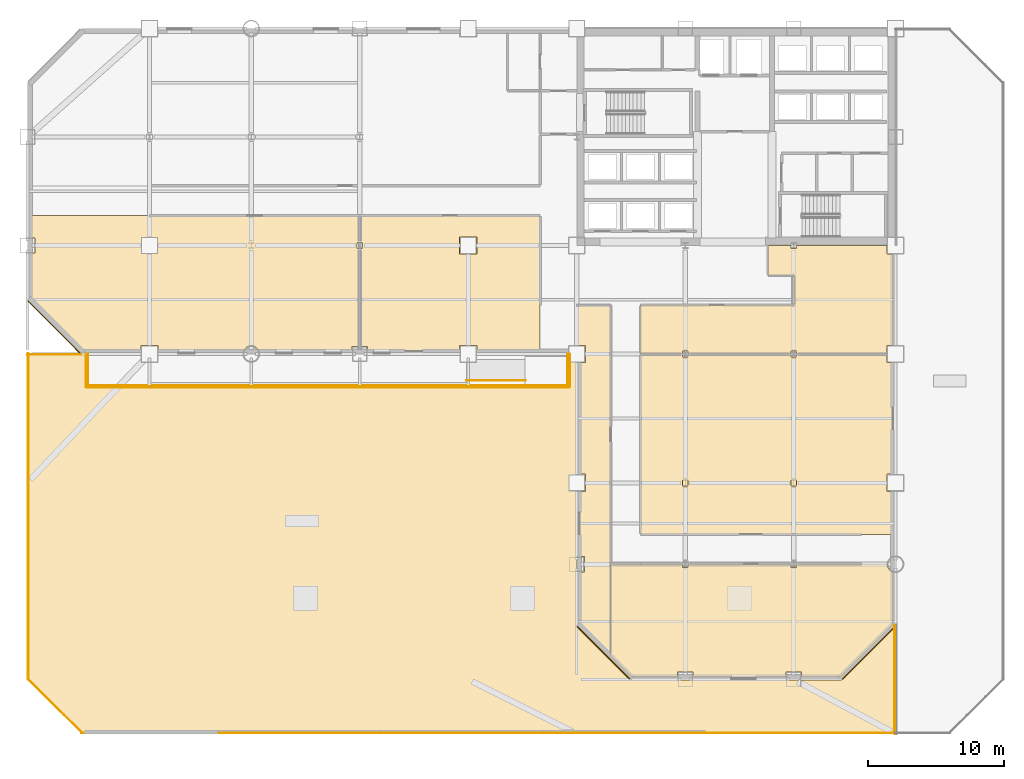
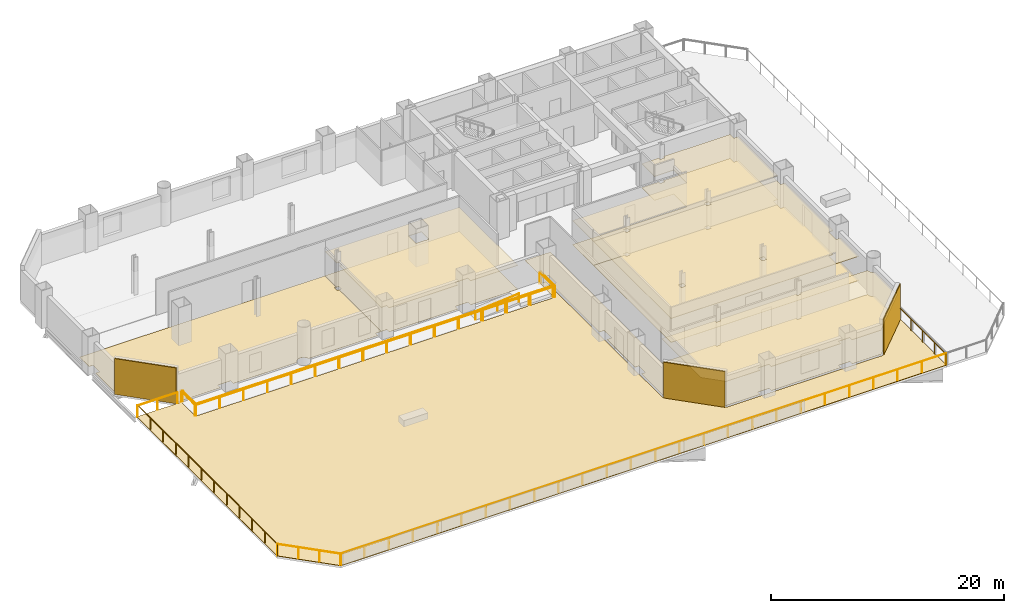
# One storey, part 8 of 11: 14 coverings, 10 railings.
"""IFC4 building model written with IfcOpenShell, lengths in metres."""

from ifc_helpers import new_model, si_unit, direction, frame, origin, origin_2d, place, context, subcontext, project, spatial, polyline, rectangle, circle, outline, extrude, material, layer, layer_set, type_object, element, save


model = new_model("IFC4")

# Units and contexts
model_context = context("Model", 3, precision=1e-05, world=origin(), true_north=direction((0.0, 1.0)))
body_context = subcontext(model_context, "Body", "Model", "MODEL_VIEW")
ifc_project = project(units=[si_unit("LENGTHUNIT", "METRE"), si_unit("AREAUNIT", "SQUARE_METRE"), si_unit("VOLUMEUNIT", "CUBIC_METRE"), si_unit("PLANEANGLEUNIT", "RADIAN"), si_unit("MASSUNIT", "GRAM", prefix="KILO")], contexts=[model_context])

# Site, building, storey
site_placement = place(None, origin())
site = spatial("IfcSite", under=ifc_project, at=site_placement, CompositionType="ELEMENT")
building_placement = place(site_placement, origin())
building = spatial("IfcBuilding", under=site, at=building_placement, Name="Qianrong Seaharbour Tower", CompositionType="ELEMENT")
storey_placement = place(building_placement, frame((0.0, 0.0, 28.199951171875)))
storey = spatial("IfcBuildingStorey", under=building, at=storey_placement, Name="L06", CompositionType="ELEMENT", Elevation=28.199951171875)

# Coverings
ifc_material_1 = material(Name="Perforated acoustic gypsum ceiling board")
ifc_layer_1 = layer(ifc_material_1, 0.050048828125)
ifc_layer_set_1 = layer_set([ifc_layer_1], Name="Perforated acoustic gypsum ceiling board")
covering_type_1 = type_object("IfcCoveringType", Name="COV-CEIL-GYPSUM-50", PredefinedType="CEILING", material=ifc_layer_set_1)
covering_1_placement = place(storey_placement, frame((0.0, 0.0, 2.5)))
element("IfcCovering", 1, at=covering_1_placement, inside=storey, type_object=covering_type_1, Name="L06 Project Library 2 Acoustic Ceiling", PredefinedType="CEILING", context=body_context, shape_type="SweptSolid", body=[
    extrude(outline(polyline([(37.800048828125, 28.175048828125), (33.135009765625, 28.175048828125), (33.135009765625, 28.635009765625), (31.864990234375, 28.635009765625), (31.864990234375, 28.175048828125), (25.06005859375, 28.175048828125), (25.06005859375, 28.56005859375), (24.5, 28.56005859375), (24.5, 35.77587890625), (24.71337890625, 35.77587890625), (24.71337890625, 36.22412109375), (24.5, 36.22412109375), (24.5, 38.199951171875), (37.800048828125, 38.199951171875), (37.800048828125, 28.175048828125)]), holes=[polyline([(33.135009765625, 35.364990234375), (33.135009765625, 36.635009765625), (31.864990234375, 36.635009765625), (31.864990234375, 35.364990234375), (33.135009765625, 35.364990234375)])]), origin(), (0.0, 0.0, 1.0), 0.050048828125),
])
covering_2_placement = place(storey_placement, frame((0.0, 0.0, 2.5)))
element("IfcCovering", 2, at=covering_2_placement, inside=storey, type_object=covering_type_1, Name="L06 Harbour View Dining Bistro 1 Acoustic Ceiling", PredefinedType="CEILING", context=body_context, shape_type="SweptSolid", body=[
    extrude(outline(polyline([(48.28662109375, 28.0), (48.28662109375, 27.77587890625), (48.71337890625, 27.77587890625), (48.71337890625, 28.0), (56.28662109375, 28.0), (56.28662109375, 27.77587890625), (56.71337890625, 27.77587890625), (56.71337890625, 28.0), (63.364990234375, 28.0), (63.364990234375, 27.364990234375), (63.824951171875, 27.364990234375), (63.824951171875, 19.135009765625), (63.364990234375, 19.135009765625), (63.364990234375, 17.864990234375), (63.824951171875, 17.864990234375), (63.824951171875, 14.699951171875), (45.199951171875, 14.699951171875), (45.199951171875, 28.0), (48.28662109375, 28.0)]), holes=[polyline([(56.71337890625, 18.27587890625), (56.71337890625, 18.72412109375), (56.28662109375, 18.72412109375), (56.28662109375, 18.27587890625), (56.71337890625, 18.27587890625)]), polyline([(48.28662109375, 18.27587890625), (48.71337890625, 18.27587890625), (48.71337890625, 18.72412109375), (48.28662109375, 18.72412109375), (48.28662109375, 18.27587890625)])]), origin(), (0.0, 0.0, 1.0), 0.050048828125),
])
covering_3_placement = place(storey_placement, frame((0.0, 0.0, 2.5)))
element("IfcCovering", 3, at=covering_3_placement, inside=storey, type_object=covering_type_1, Name="L06 Executive Briefing Salon 2 Acoustic Ceiling", PredefinedType="CEILING", context=body_context, shape_type="SweptSolid", body=[
    extrude(outline(polyline([(56.5, 31.60009765625), (56.5, 33.800048828125), (54.60009765625, 33.800048828125), (54.60009765625, 36.0), (56.28662109375, 36.0), (56.28662109375, 35.77587890625), (56.71337890625, 35.77587890625), (56.71337890625, 36.0), (63.364990234375, 36.0), (63.364990234375, 35.364990234375), (63.824951171875, 35.364990234375), (63.824951171875, 28.635009765625), (63.364990234375, 28.635009765625), (63.364990234375, 28.0), (56.71337890625, 28.0), (56.71337890625, 28.22412109375), (56.28662109375, 28.22412109375), (56.28662109375, 28.0), (48.71337890625, 28.0), (48.71337890625, 28.22412109375), (48.28662109375, 28.22412109375), (48.28662109375, 28.0), (45.199951171875, 28.0), (45.199951171875, 31.60009765625), (56.5, 31.60009765625)])), origin(), (0.0, 0.0, 1.0), 0.050048828125),
])
covering_4_placement = place(storey_placement, frame((0.0, 0.0, 2.5)))
element("IfcCovering", 4, at=covering_4_placement, inside=storey, type_object=covering_type_1, Name="L06 Skyline Observation Lounge Acoustic Ceiling", PredefinedType="CEILING", context=body_context, shape_type="SweptSolid", body=[
    extrude(outline(polyline([(63.824951171875, 8.072509765625), (59.927490234375, 4.175048828125), (57.06005859375, 4.175048828125), (57.06005859375, 4.56005859375), (55.93994140625, 4.56005859375), (55.93994140625, 4.175048828125), (49.06005859375, 4.175048828125), (49.06005859375, 4.56005859375), (47.93994140625, 4.56005859375), (47.93994140625, 4.175048828125), (44.572509765625, 4.175048828125), (43.0, 5.74755859375), (43.0, 12.5), (48.28662109375, 12.5), (48.28662109375, 12.27587890625), (48.71337890625, 12.27587890625), (48.71337890625, 12.5), (56.28662109375, 12.5), (56.28662109375, 12.27587890625), (56.71337890625, 12.27587890625), (56.71337890625, 12.5), (63.389892578125, 12.5), (63.401611328125, 12.381103515625), (63.436279296875, 12.2666015625), (63.492919921875, 12.1611328125), (63.568603515625, 12.068603515625), (63.6611328125, 11.992919921875), (63.7666015625, 11.936279296875), (63.824951171875, 11.918701171875), (63.824951171875, 8.072509765625)])), origin(), (0.0, 0.0, 1.0), 0.050048828125),
])
ifc_material_2 = material(Name="Unitised red brick cladding on Precast concrete C45/55", Category="masonry")
ifc_layer_2 = layer(ifc_material_2, 0.080078125)
ifc_layer_set_2 = layer_set([ifc_layer_2], Name="Unitised red brick cladding on Precast concrete C45/55")
covering_type_2 = type_object("IfcCoveringType", Name="COV-CLAD-RED-BRICK-80", PredefinedType="CLADDING", material=ifc_layer_set_2)
for number, where, z_axis, x_axis, name in (
    (5, (1.9716796875, 29.9716796875, 0.0), (0.0, 0.0, 1.0), (-0.707106781187, 0.707106781187, 0.0), "L06 Chamfer Corner Brick Cladding 02"),
    (6, (62.0283203125, 5.9716796875, 0.0), (0.0, 0.0, 1.0), (-0.707106781187, -0.707106781187, 0.0), "L06 Chamfer Corner Brick Cladding 07"),
    (7, (42.4716796875, 5.9716796875, 0.0), (0.0, 0.0, 1.0), (-0.707106781187, 0.707106781187, 0.0), "L06 Chamfer Corner Brick Cladding 09"),
):
    element("IfcCovering", number, at=place(storey_placement, frame(where, z_axis=z_axis, x_axis=x_axis)), inside=storey, type_object=covering_type_2, Name=name, PredefinedType="CLADDING", context=body_context, shape_type="SweptSolid", body=[
        extrude(rectangle(XDim=5.456787109375, YDim=0.080078125, at=origin_2d()), origin(), (0.0, 0.0, 1.0), 3.75),
    ])
ifc_material_3 = material(Name="Acoustic modular carpet tile flooring")
ifc_layer_3 = layer(ifc_material_3, 0.02001953125)
ifc_layer_set_3 = layer_set([ifc_layer_3], Name="Acoustic modular carpet tile flooring")
covering_type_3 = type_object("IfcCoveringType", Name="COV-FLOOR-CARPET-20", PredefinedType="FLOORING", material=ifc_layer_set_3)
covering_5_placement = place(storey_placement, origin())
element("IfcCovering", 8, at=covering_5_placement, inside=storey, type_object=covering_type_3, Name="L06 Harbour Panorama Boardroom 1 Finish Flooring", PredefinedType="FLOORING", context=body_context, shape_type="SweptSolid", body=[
    extrude(outline(polyline([(17.081298828125, 28.175048828125), (17.063720703125, 28.2333984375), (17.007080078125, 28.3388671875), (16.931396484375, 28.431396484375), (16.8388671875, 28.507080078125), (16.7333984375, 28.563720703125), (16.618896484375, 28.598388671875), (16.5, 28.610107421875), (16.381103515625, 28.598388671875), (16.2666015625, 28.563720703125), (16.1611328125, 28.507080078125), (16.068603515625, 28.431396484375), (15.992919921875, 28.3388671875), (15.936279296875, 28.2333984375), (15.918701171875, 28.175048828125), (9.635009765625, 28.175048828125), (9.635009765625, 28.635009765625), (8.364990234375, 28.635009765625), (8.364990234375, 28.175048828125), (4.072509765625, 28.175048828125), (0.175048828125, 32.072509765625), (0.175048828125, 35.43994140625), (0.56005859375, 35.43994140625), (0.56005859375, 36.56005859375), (0.175048828125, 36.56005859375), (0.175048828125, 38.199951171875), (24.5, 38.199951171875), (24.5, 36.22412109375), (24.28662109375, 36.22412109375), (24.28662109375, 35.77587890625), (24.5, 35.77587890625), (24.5, 28.56005859375), (23.93994140625, 28.56005859375), (23.93994140625, 28.175048828125), (17.081298828125, 28.175048828125)])), origin(), (0.0, 0.0, 1.0), 0.02001953125),
])
covering_6_placement = place(storey_placement, origin())
element("IfcCovering", 9, at=covering_6_placement, inside=storey, type_object=covering_type_3, Name="L06 Project Library 2 Finish Flooring", PredefinedType="FLOORING", context=body_context, shape_type="SweptSolid", body=[
    extrude(outline(polyline([(37.800048828125, 28.175048828125), (33.135009765625, 28.175048828125), (33.135009765625, 28.635009765625), (31.864990234375, 28.635009765625), (31.864990234375, 28.175048828125), (25.06005859375, 28.175048828125), (25.06005859375, 28.56005859375), (24.5, 28.56005859375), (24.5, 35.77587890625), (24.71337890625, 35.77587890625), (24.71337890625, 36.22412109375), (24.5, 36.22412109375), (24.5, 38.199951171875), (37.800048828125, 38.199951171875), (37.800048828125, 28.175048828125)])), origin(), (0.0, 0.0, 1.0), 0.02001953125),
])
covering_7_placement = place(storey_placement, origin())
element("IfcCovering", 10, at=covering_7_placement, inside=storey, type_object=covering_type_3, Name="L06 Wet Pantry Finish Flooring", PredefinedType="FLOORING", context=body_context, shape_type="SweptSolid", body=[
    extrude(outline(polyline([(43.0, 5.74755859375), (40.675048828125, 8.072509765625), (40.675048828125, 11.93994140625), (41.06005859375, 11.93994140625), (41.06005859375, 13.06005859375), (40.675048828125, 13.06005859375), (40.675048828125, 17.864990234375), (41.135009765625, 17.864990234375), (41.135009765625, 19.135009765625), (40.675048828125, 19.135009765625), (40.675048828125, 27.364990234375), (41.135009765625, 27.364990234375), (41.135009765625, 28.635009765625), (40.5, 28.635009765625), (40.5, 31.60009765625), (43.0, 31.60009765625), (43.0, 5.74755859375)])), origin(), (0.0, 0.0, 1.0), 0.02001953125),
])
covering_8_placement = place(storey_placement, origin())
element("IfcCovering", 11, at=covering_8_placement, inside=storey, type_object=covering_type_3, Name="L06 Skyline Observation Lounge Finish Flooring", PredefinedType="FLOORING", context=body_context, shape_type="SweptSolid", body=[
    extrude(outline(polyline([(63.824951171875, 8.072509765625), (59.927490234375, 4.175048828125), (57.06005859375, 4.175048828125), (57.06005859375, 4.56005859375), (55.93994140625, 4.56005859375), (55.93994140625, 4.175048828125), (49.06005859375, 4.175048828125), (49.06005859375, 4.56005859375), (47.93994140625, 4.56005859375), (47.93994140625, 4.175048828125), (44.572509765625, 4.175048828125), (43.0, 5.74755859375), (43.0, 12.5), (48.28662109375, 12.5), (48.28662109375, 12.27587890625), (48.71337890625, 12.27587890625), (48.71337890625, 12.5), (56.28662109375, 12.5), (56.28662109375, 12.27587890625), (56.71337890625, 12.27587890625), (56.71337890625, 12.5), (63.389892578125, 12.5), (63.401611328125, 12.381103515625), (63.436279296875, 12.2666015625), (63.492919921875, 12.1611328125), (63.568603515625, 12.068603515625), (63.6611328125, 11.992919921875), (63.7666015625, 11.936279296875), (63.824951171875, 11.918701171875), (63.824951171875, 8.072509765625)])), origin(), (0.0, 0.0, 1.0), 0.02001953125),
])
ifc_material_4 = material(Name="Honed granite stone flooring", Category="masonry")
ifc_layer_4 = layer(ifc_material_4, 0.030029296875)
ifc_layer_set_4 = layer_set([ifc_layer_4], Name="Honed granite stone flooring")
covering_type_4 = type_object("IfcCoveringType", Name="COV-FLOOR-GRANITE-30", PredefinedType="FLOORING", material=ifc_layer_set_4)
covering_9_placement = place(storey_placement, origin())
element("IfcCovering", 12, at=covering_9_placement, inside=storey, type_object=covering_type_4, Name="L06 Harbour View Dining Bistro 1 Finish Flooring", PredefinedType="FLOORING", context=body_context, shape_type="SweptSolid", body=[
    extrude(outline(polyline([(48.28662109375, 28.0), (48.28662109375, 27.77587890625), (48.71337890625, 27.77587890625), (48.71337890625, 28.0), (56.28662109375, 28.0), (56.28662109375, 27.77587890625), (56.71337890625, 27.77587890625), (56.71337890625, 28.0), (63.364990234375, 28.0), (63.364990234375, 27.364990234375), (63.824951171875, 27.364990234375), (63.824951171875, 19.135009765625), (63.364990234375, 19.135009765625), (63.364990234375, 17.864990234375), (63.824951171875, 17.864990234375), (63.824951171875, 14.699951171875), (45.199951171875, 14.699951171875), (45.199951171875, 28.0), (48.28662109375, 28.0)])), origin(), (0.0, 0.0, 1.0), 0.030029296875),
])
covering_10_placement = place(storey_placement, origin())
element("IfcCovering", 13, at=covering_10_placement, inside=storey, type_object=covering_type_4, Name="L06 Executive Briefing Salon 2 Finish Flooring", PredefinedType="FLOORING", context=body_context, shape_type="SweptSolid", body=[
    extrude(outline(polyline([(56.5, 31.60009765625), (56.5, 33.800048828125), (54.60009765625, 33.800048828125), (54.60009765625, 36.0), (56.28662109375, 36.0), (56.28662109375, 35.77587890625), (56.71337890625, 35.77587890625), (56.71337890625, 36.0), (63.364990234375, 36.0), (63.364990234375, 35.364990234375), (63.824951171875, 35.364990234375), (63.824951171875, 28.635009765625), (63.364990234375, 28.635009765625), (63.364990234375, 28.0), (56.71337890625, 28.0), (56.71337890625, 28.22412109375), (56.28662109375, 28.22412109375), (56.28662109375, 28.0), (48.71337890625, 28.0), (48.71337890625, 28.22412109375), (48.28662109375, 28.22412109375), (48.28662109375, 28.0), (45.199951171875, 28.0), (45.199951171875, 31.60009765625), (56.5, 31.60009765625)])), origin(), (0.0, 0.0, 1.0), 0.030029296875),
])
ifc_material_5 = material(Name="Elastomeric waterproofing membrane and extruded polystyrene insulation")
ifc_layer_5 = layer(ifc_material_5, 0.06005859375)
ifc_layer_set_5 = layer_set([ifc_layer_5], Name="Elastomeric waterproofing membrane and extruded polystyrene insulation")
covering_type_5 = type_object("IfcCoveringType", Name="COV-ROOF-MEMBRANE-60", PredefinedType="ROOFING", material=ifc_layer_set_5)
covering_11_placement = place(storey_placement, frame((0.0, 0.0, -0.06005859375)))
element("IfcCovering", 14, at=covering_11_placement, inside=storey, type_object=covering_type_5, Name="L06 Sky Garden Waterproofing Membrane 1", PredefinedType="ROOFING", context=body_context, shape_type="SweptSolid", body=[
    extrude(outline(polyline([(4.0, 0.0), (0.0, 4.0), (0.0, 28.02001953125), (3.95166015625, 28.02001953125), (3.98583984375, 27.98583984375), (3.9873046875, 27.984619140625), (3.989013671875, 27.9833984375), (3.990478515625, 27.982421875), (3.9921875, 27.9814453125), (3.994140625, 27.98095703125), (3.99609375, 27.98046875), (3.998046875, 27.97998046875), (4.0, 27.97998046875), (4.3798828125, 27.97998046875), (4.3798828125, 25.580078125), (39.919921875, 25.580078125), (39.919921875, 27.97998046875), (40.47998046875, 27.97998046875), (40.47998046875, 8.0), (40.47998046875, 7.998046875), (40.48046875, 7.99609375), (40.48095703125, 7.994140625), (40.4814453125, 7.9921875), (40.482421875, 7.990478515625), (40.4833984375, 7.989013671875), (40.484619140625, 7.9873046875), (40.48583984375, 7.98583984375), (44.48583984375, 3.98583984375), (44.4873046875, 3.984619140625), (44.489013671875, 3.9833984375), (44.490478515625, 3.982421875), (44.4921875, 3.9814453125), (44.494140625, 3.98095703125), (44.49609375, 3.98046875), (44.498046875, 3.97998046875), (44.5, 3.97998046875), (60.0, 3.97998046875), (60.001953125, 3.97998046875), (60.00390625, 3.98046875), (60.005859375, 3.98095703125), (60.0078125, 3.9814453125), (60.009521484375, 3.982421875), (60.010986328125, 3.9833984375), (60.0126953125, 3.984619140625), (60.01416015625, 3.98583984375), (64.0, 7.9716796875), (64.0, 0.0), (4.0, 0.0)])), origin(), (0.0, 0.0, 1.0), 0.06005859375),
])

# Railings
ifc_material_6 = material(Name="Stainless steel SUS316L tubular handrail", Category="steel")
railing_type_1 = type_object("IfcRailingType", Name="RAIL-RAMP-HANDRAIL-900", PredefinedType="HANDRAIL", material=ifc_material_6)
railing_1_placement = place(storey_placement, frame((32.3798828125, 26.050048828125, 0.0)))
element("IfcRailing", 15, at=railing_1_placement, inside=storey, type_object=railing_type_1, Name="L06 Harbourfront Ribbon Ramp Handrail", PredefinedType="HANDRAIL", context=body_context, shape_type="SweptSolid", body=[
    extrude(circle(Radius=0.02392578125, at=origin_2d()), frame((0.0, 0.0, 0.8759765625), z_axis=(0.996543815979, 0.0, 0.083068783756), x_axis=(0.0, 1.0, 0.0)), (0.0, 0.0, 1.0), 4.3349609375),
    extrude(circle(Radius=0.02099609375, at=origin_2d()), origin(), (0.0, 0.0, 1.0), 0.851806640625),
    extrude(circle(Radius=0.02099609375, at=origin_2d()), frame((2.16015625, 0.0, 0.18017578125)), (0.0, 0.0, 1.0), 0.851806640625),
    extrude(circle(Radius=0.02099609375, at=origin_2d()), frame((4.320068359375, 0.0, 0.360107421875)), (0.0, 0.0, 1.0), 0.851806640625),
])
ifc_material_7 = material(Name="Stainless steel SUS316L and laminated safety glass balustrade", Category="steel")
railing_type_2 = type_object("IfcRailingType", Name="RAIL-TERRACE-GUARD-1220", PredefinedType="GUARDRAIL", material=ifc_material_7)
railing_2_placement = place(storey_placement, frame((4.04248046875, 0.04248046875, 0.0)))
element("IfcRailing", 16, at=railing_2_placement, inside=storey, type_object=railing_type_2, Name="L06 Sky Garden Perimeter Guardrail P1.1", PredefinedType="GUARDRAIL", context=body_context, shape_type="SweptSolid", body=[
    extrude(circle(Radius=0.02392578125, at=origin_2d()), frame((0.0, 0.0, 1.19580078125), z_axis=(-0.707106781187, 0.707106781187, 0.0), x_axis=(-0.707106781187, -0.707106781187, 0.0)), (0.0, 0.0, 1.0), 5.65673828125),
    extrude(circle(Radius=0.02099609375, at=origin_2d()), origin(), (0.0, 0.0, 1.0), 1.171875),
    extrude(circle(Radius=0.02099609375, at=origin_2d()), frame((-1.333251953125, 1.333251953125, 0.0)), (0.0, 0.0, 1.0), 1.171875),
    extrude(circle(Radius=0.02099609375, at=origin_2d()), frame((-2.666748046875, 2.666748046875, 0.0)), (0.0, 0.0, 1.0), 1.171875),
    extrude(circle(Radius=0.02099609375, at=origin_2d()), frame((-4.0, 4.0, 0.0)), (0.0, 0.0, 1.0), 1.171875),
])
railing_3_placement = place(storey_placement, frame((0.06005859375, 4.0, 0.0)))
element("IfcRailing", 17, at=railing_3_placement, inside=storey, type_object=railing_type_2, Name="L06 Sky Garden Perimeter Guardrail P1.2", PredefinedType="GUARDRAIL", context=body_context, shape_type="SweptSolid", body=[
    extrude(circle(Radius=0.02392578125, at=origin_2d()), frame((0.0, 0.0, 1.19580078125), z_axis=(0.0, 1.0, 0.0), x_axis=(-1.0, 0.0, 0.0)), (0.0, 0.0, 1.0), 24.02001953125),
    extrude(circle(Radius=0.02099609375, at=origin_2d()), origin(), (0.0, 0.0, 1.0), 1.171875),
    extrude(circle(Radius=0.02099609375, at=origin_2d()), frame((0.0, 2.18359375, 0.0)), (0.0, 0.0, 1.0), 1.171875),
    extrude(circle(Radius=0.02099609375, at=origin_2d()), frame((0.0, 4.3671875, 0.0)), (0.0, 0.0, 1.0), 1.171875),
    extrude(circle(Radius=0.02099609375, at=origin_2d()), frame((0.0, 6.551025390625, 0.0)), (0.0, 0.0, 1.0), 1.171875),
    extrude(circle(Radius=0.02099609375, at=origin_2d()), frame((0.0, 8.734619140625, 0.0)), (0.0, 0.0, 1.0), 1.171875),
    extrude(circle(Radius=0.02099609375, at=origin_2d()), frame((0.0, 10.918212890625, 0.0)), (0.0, 0.0, 1.0), 1.171875),
    extrude(circle(Radius=0.02099609375, at=origin_2d()), frame((0.0, 13.101806640625, 0.0)), (0.0, 0.0, 1.0), 1.171875),
    extrude(circle(Radius=0.02099609375, at=origin_2d()), frame((0.0, 15.285400390625, 0.0)), (0.0, 0.0, 1.0), 1.171875),
    extrude(circle(Radius=0.02099609375, at=origin_2d()), frame((0.0, 17.468994140625, 0.0)), (0.0, 0.0, 1.0), 1.171875),
    extrude(circle(Radius=0.02099609375, at=origin_2d()), frame((0.0, 19.65283203125, 0.0)), (0.0, 0.0, 1.0), 1.171875),
    extrude(circle(Radius=0.02099609375, at=origin_2d()), frame((0.0, 21.83642578125, 0.0)), (0.0, 0.0, 1.0), 1.171875),
    extrude(circle(Radius=0.02099609375, at=origin_2d()), frame((0.0, 24.02001953125, 0.0)), (0.0, 0.0, 1.0), 1.171875),
])
railing_4_placement = place(storey_placement, frame((0.0, 27.9599609375, 0.0)))
element("IfcRailing", 18, at=railing_4_placement, inside=storey, type_object=railing_type_2, Name="L06 Sky Garden Perimeter Guardrail P1.3", PredefinedType="GUARDRAIL", context=body_context, shape_type="SweptSolid", body=[
    extrude(circle(Radius=0.02392578125, at=origin_2d()), frame((0.0, 0.0, 1.19580078125), z_axis=(1.0, 0.0, 0.0), x_axis=(0.0, 1.0, 0.0)), (0.0, 0.0, 1.0), 3.95166015625),
    extrude(circle(Radius=0.02099609375, at=origin_2d()), origin(), (0.0, 0.0, 1.0), 1.171875),
    extrude(circle(Radius=0.02099609375, at=origin_2d()), frame((1.975830078125, 0.0, 0.0)), (0.0, 0.0, 1.0), 1.171875),
    extrude(circle(Radius=0.02099609375, at=origin_2d()), frame((3.95166015625, 0.0, 0.0)), (0.0, 0.0, 1.0), 1.171875),
])
railing_5_placement = place(storey_placement, frame((4.320068359375, 27.97998046875, 0.0)))
element("IfcRailing", 19, at=railing_5_placement, inside=storey, type_object=railing_type_2, Name="L06 Sky Garden Perimeter Guardrail P1.14", PredefinedType="GUARDRAIL", context=body_context, shape_type="SweptSolid", body=[
    extrude(circle(Radius=0.02392578125, at=origin_2d()), frame((0.0, 0.0, 1.19580078125), z_axis=(0.0, -1.0, 0.0), x_axis=(1.0, 0.0, 0.0)), (0.0, 0.0, 1.0), 2.39990234375),
    extrude(circle(Radius=0.02099609375, at=origin_2d()), origin(), (0.0, 0.0, 1.0), 1.171875),
    extrude(circle(Radius=0.02099609375, at=origin_2d()), frame((0.0, -2.39990234375, 0.0)), (0.0, 0.0, 1.0), 1.171875),
])
railing_6_placement = place(storey_placement, frame((4.3798828125, 25.52001953125, 0.0)))
element("IfcRailing", 20, at=railing_6_placement, inside=storey, type_object=railing_type_2, Name="L06 Sky Garden Perimeter Guardrail P1.15", PredefinedType="GUARDRAIL", context=body_context, shape_type="SweptSolid", body=[
    extrude(circle(Radius=0.02392578125, at=origin_2d()), frame((0.0, 0.0, 1.19580078125), z_axis=(1.0, 0.0, 0.0), x_axis=(0.0, 1.0, 0.0)), (0.0, 0.0, 1.0), 35.5400390625),
    extrude(circle(Radius=0.02099609375, at=origin_2d()), origin(), (0.0, 0.0, 1.0), 1.171875),
    extrude(circle(Radius=0.02099609375, at=origin_2d()), frame((2.369384765625, 0.0, 0.0)), (0.0, 0.0, 1.0), 1.171875),
    extrude(circle(Radius=0.02099609375, at=origin_2d()), frame((4.73876953125, 0.0, 0.0)), (0.0, 0.0, 1.0), 1.171875),
    extrude(circle(Radius=0.02099609375, at=origin_2d()), frame((7.10791015625, 0.0, 0.0)), (0.0, 0.0, 1.0), 1.171875),
    extrude(circle(Radius=0.02099609375, at=origin_2d()), frame((9.477294921875, 0.0, 0.0)), (0.0, 0.0, 1.0), 1.171875),
    extrude(circle(Radius=0.02099609375, at=origin_2d()), frame((11.8466796875, 0.0, 0.0)), (0.0, 0.0, 1.0), 1.171875),
    extrude(circle(Radius=0.02099609375, at=origin_2d()), frame((14.216064453125, 0.0, 0.0)), (0.0, 0.0, 1.0), 1.171875),
    extrude(circle(Radius=0.02099609375, at=origin_2d()), frame((16.58544921875, 0.0, 0.0)), (0.0, 0.0, 1.0), 1.171875),
    extrude(circle(Radius=0.02099609375, at=origin_2d()), frame((18.95458984375, 0.0, 0.0)), (0.0, 0.0, 1.0), 1.171875),
    extrude(circle(Radius=0.02099609375, at=origin_2d()), frame((21.323974609375, 0.0, 0.0)), (0.0, 0.0, 1.0), 1.171875),
    extrude(circle(Radius=0.02099609375, at=origin_2d()), frame((23.693359375, 0.0, 0.0)), (0.0, 0.0, 1.0), 1.171875),
    extrude(circle(Radius=0.02099609375, at=origin_2d()), frame((26.062744140625, 0.0, 0.0)), (0.0, 0.0, 1.0), 1.171875),
    extrude(circle(Radius=0.02099609375, at=origin_2d()), frame((28.43212890625, 0.0, 0.0)), (0.0, 0.0, 1.0), 1.171875),
    extrude(circle(Radius=0.02099609375, at=origin_2d()), frame((30.80126953125, 0.0, 0.0)), (0.0, 0.0, 1.0), 1.171875),
    extrude(circle(Radius=0.02099609375, at=origin_2d()), frame((33.170654296875, 0.0, 0.0)), (0.0, 0.0, 1.0), 1.171875),
    extrude(circle(Radius=0.02099609375, at=origin_2d()), frame((35.5400390625, 0.0, 0.0)), (0.0, 0.0, 1.0), 1.171875),
])
railing_7_placement = place(storey_placement, frame((39.97998046875, 25.580078125, 0.0)))
element("IfcRailing", 21, at=railing_7_placement, inside=storey, type_object=railing_type_2, Name="L06 Sky Garden Perimeter Guardrail P1.16", PredefinedType="GUARDRAIL", context=body_context, shape_type="SweptSolid", body=[
    extrude(circle(Radius=0.02392578125, at=origin_2d()), frame((0.0, 0.0, 1.19580078125), z_axis=(0.0, 1.0, 0.0), x_axis=(-1.0, 0.0, 0.0)), (0.0, 0.0, 1.0), 2.39990234375),
    extrude(circle(Radius=0.02099609375, at=origin_2d()), origin(), (0.0, 0.0, 1.0), 1.171875),
    extrude(circle(Radius=0.02099609375, at=origin_2d()), frame((0.0, 2.39990234375, 0.0)), (0.0, 0.0, 1.0), 1.171875),
])
railing_8_placement = place(storey_placement, frame((63.93994140625, 7.9716796875, 0.0)))
element("IfcRailing", 22, at=railing_8_placement, inside=storey, type_object=railing_type_2, Name="L06 Sky Garden Perimeter Guardrail P1.46", PredefinedType="GUARDRAIL", context=body_context, shape_type="SweptSolid", body=[
    extrude(circle(Radius=0.02392578125, at=origin_2d()), frame((0.0, 0.0, 1.19580078125), z_axis=(0.0, -1.0, 0.0), x_axis=(1.0, 0.0, 0.0)), (0.0, 0.0, 1.0), 7.9716796875),
    extrude(circle(Radius=0.02099609375, at=origin_2d()), origin(), (0.0, 0.0, 1.0), 1.171875),
    extrude(circle(Radius=0.02099609375, at=origin_2d()), frame((0.0, -1.992919921875, 0.0)), (0.0, 0.0, 1.0), 1.171875),
    extrude(circle(Radius=0.02099609375, at=origin_2d()), frame((0.0, -3.98583984375, 0.0)), (0.0, 0.0, 1.0), 1.171875),
    extrude(circle(Radius=0.02099609375, at=origin_2d()), frame((0.0, -5.978759765625, 0.0)), (0.0, 0.0, 1.0), 1.171875),
    extrude(circle(Radius=0.02099609375, at=origin_2d()), frame((0.0, -7.9716796875, 0.0)), (0.0, 0.0, 1.0), 1.171875),
])
railing_9_placement = place(storey_placement, frame((64.0, 0.06005859375, 0.0)))
element("IfcRailing", 23, at=railing_9_placement, inside=storey, type_object=railing_type_2, Name="L06 Sky Garden Perimeter Guardrail P1.47", PredefinedType="GUARDRAIL", context=body_context, shape_type="SweptSolid", body=[
    extrude(circle(Radius=0.02392578125, at=origin_2d()), frame((0.0, 0.0, 1.19580078125), z_axis=(-1.0, 0.0, 0.0), x_axis=(0.0, -1.0, 0.0)), (0.0, 0.0, 1.0), 60.0),
    extrude(circle(Radius=0.02099609375, at=origin_2d()), origin(), (0.0, 0.0, 1.0), 1.171875),
    extrude(circle(Radius=0.02099609375, at=origin_2d()), frame((-2.39990234375, 0.0, 0.0)), (0.0, 0.0, 1.0), 1.171875),
    extrude(circle(Radius=0.02099609375, at=origin_2d()), frame((-4.800048828125, 0.0, 0.0)), (0.0, 0.0, 1.0), 1.171875),
    extrude(circle(Radius=0.02099609375, at=origin_2d()), frame((-7.199951171875, 0.0, 0.0)), (0.0, 0.0, 1.0), 1.171875),
    extrude(circle(Radius=0.02099609375, at=origin_2d()), frame((-9.60009765625, 0.0, 0.0)), (0.0, 0.0, 1.0), 1.171875),
    extrude(circle(Radius=0.02099609375, at=origin_2d()), frame((-12.0, 0.0, 0.0)), (0.0, 0.0, 1.0), 1.171875),
    extrude(circle(Radius=0.02099609375, at=origin_2d()), frame((-14.39990234375, 0.0, 0.0)), (0.0, 0.0, 1.0), 1.171875),
    extrude(circle(Radius=0.02099609375, at=origin_2d()), frame((-16.800048828125, 0.0, 0.0)), (0.0, 0.0, 1.0), 1.171875),
    extrude(circle(Radius=0.02099609375, at=origin_2d()), frame((-19.199951171875, 0.0, 0.0)), (0.0, 0.0, 1.0), 1.171875),
    extrude(circle(Radius=0.02099609375, at=origin_2d()), frame((-21.60009765625, 0.0, 0.0)), (0.0, 0.0, 1.0), 1.171875),
    extrude(circle(Radius=0.02099609375, at=origin_2d()), frame((-24.0, 0.0, 0.0)), (0.0, 0.0, 1.0), 1.171875),
    extrude(circle(Radius=0.02099609375, at=origin_2d()), frame((-26.39990234375, 0.0, 0.0)), (0.0, 0.0, 1.0), 1.171875),
    extrude(circle(Radius=0.02099609375, at=origin_2d()), frame((-28.800048828125, 0.0, 0.0)), (0.0, 0.0, 1.0), 1.171875),
    extrude(circle(Radius=0.02099609375, at=origin_2d()), frame((-31.199951171875, 0.0, 0.0)), (0.0, 0.0, 1.0), 1.171875),
    extrude(circle(Radius=0.02099609375, at=origin_2d()), frame((-33.60009765625, 0.0, 0.0)), (0.0, 0.0, 1.0), 1.171875),
    extrude(circle(Radius=0.02099609375, at=origin_2d()), frame((-36.0, 0.0, 0.0)), (0.0, 0.0, 1.0), 1.171875),
    extrude(circle(Radius=0.02099609375, at=origin_2d()), frame((-38.39990234375, 0.0, 0.0)), (0.0, 0.0, 1.0), 1.171875),
    extrude(circle(Radius=0.02099609375, at=origin_2d()), frame((-40.800048828125, 0.0, 0.0)), (0.0, 0.0, 1.0), 1.171875),
    extrude(circle(Radius=0.02099609375, at=origin_2d()), frame((-43.199951171875, 0.0, 0.0)), (0.0, 0.0, 1.0), 1.171875),
    extrude(circle(Radius=0.02099609375, at=origin_2d()), frame((-45.60009765625, 0.0, 0.0)), (0.0, 0.0, 1.0), 1.171875),
    extrude(circle(Radius=0.02099609375, at=origin_2d()), frame((-48.0, 0.0, 0.0)), (0.0, 0.0, 1.0), 1.171875),
    extrude(circle(Radius=0.02099609375, at=origin_2d()), frame((-50.39990234375, 0.0, 0.0)), (0.0, 0.0, 1.0), 1.171875),
    extrude(circle(Radius=0.02099609375, at=origin_2d()), frame((-52.800048828125, 0.0, 0.0)), (0.0, 0.0, 1.0), 1.171875),
    extrude(circle(Radius=0.02099609375, at=origin_2d()), frame((-55.199951171875, 0.0, 0.0)), (0.0, 0.0, 1.0), 1.171875),
    extrude(circle(Radius=0.02099609375, at=origin_2d()), frame((-57.60009765625, 0.0, 0.0)), (0.0, 0.0, 1.0), 1.171875),
    extrude(circle(Radius=0.02099609375, at=origin_2d()), frame((-60.0, 0.0, 0.0)), (0.0, 0.0, 1.0), 1.171875),
])
railing_10_placement = place(storey_placement, frame((4.4599609375, 27.97998046875, 0.0)))
element("IfcRailing", 24, at=railing_10_placement, inside=storey, type_object=railing_type_2, Name="L06 Harbourfront Ribbon Gallery Guardrail", PredefinedType="GUARDRAIL", context=body_context, shape_type="SweptSolid", body=[
    extrude(circle(Radius=0.02392578125, at=origin_2d()), frame((0.0, 0.0, 1.19580078125), z_axis=(0.0, -1.0, 0.0), x_axis=(1.0, 0.0, 0.0)), (0.0, 0.0, 1.0), 2.320068359375),
    extrude(circle(Radius=0.02392578125, at=origin_2d()), frame((0.0, -2.320068359375, 1.19580078125), z_axis=(1.0, 0.0, 0.0), x_axis=(0.0, 1.0, 0.0)), (0.0, 0.0, 1.0), 35.380126953125),
    extrude(circle(Radius=0.02392578125, at=origin_2d()), frame((35.380126953125, -2.320068359375, 1.19580078125), z_axis=(0.0, 1.0, 0.0), x_axis=(-1.0, 0.0, 0.0)), (0.0, 0.0, 1.0), 2.320068359375),
    extrude(circle(Radius=0.02099609375, at=origin_2d()), origin(), (0.0, 0.0, 1.0), 1.171875),
    extrude(circle(Radius=0.02099609375, at=origin_2d()), frame((0.0, -2.320068359375, 0.0)), (0.0, 0.0, 1.0), 1.171875),
    extrude(circle(Radius=0.02099609375, at=origin_2d()), frame((2.358642578125, -2.320068359375, 0.0)), (0.0, 0.0, 1.0), 1.171875),
    extrude(circle(Radius=0.02099609375, at=origin_2d()), frame((4.71728515625, -2.320068359375, 0.0)), (0.0, 0.0, 1.0), 1.171875),
    extrude(circle(Radius=0.02099609375, at=origin_2d()), frame((7.075927734375, -2.320068359375, 0.0)), (0.0, 0.0, 1.0), 1.171875),
    extrude(circle(Radius=0.02099609375, at=origin_2d()), frame((9.434814453125, -2.320068359375, 0.0)), (0.0, 0.0, 1.0), 1.171875),
    extrude(circle(Radius=0.02099609375, at=origin_2d()), frame((11.79345703125, -2.320068359375, 0.0)), (0.0, 0.0, 1.0), 1.171875),
    extrude(circle(Radius=0.02099609375, at=origin_2d()), frame((14.152099609375, -2.320068359375, 0.0)), (0.0, 0.0, 1.0), 1.171875),
    extrude(circle(Radius=0.02099609375, at=origin_2d()), frame((16.5107421875, -2.320068359375, 0.0)), (0.0, 0.0, 1.0), 1.171875),
    extrude(circle(Radius=0.02099609375, at=origin_2d()), frame((18.869384765625, -2.320068359375, 0.0)), (0.0, 0.0, 1.0), 1.171875),
    extrude(circle(Radius=0.02099609375, at=origin_2d()), frame((21.22802734375, -2.320068359375, 0.0)), (0.0, 0.0, 1.0), 1.171875),
    extrude(circle(Radius=0.02099609375, at=origin_2d()), frame((23.586669921875, -2.320068359375, 0.0)), (0.0, 0.0, 1.0), 1.171875),
    extrude(circle(Radius=0.02099609375, at=origin_2d()), frame((25.9453125, -2.320068359375, 0.0)), (0.0, 0.0, 1.0), 1.171875),
    extrude(circle(Radius=0.02099609375, at=origin_2d()), frame((28.30419921875, -2.320068359375, 0.0)), (0.0, 0.0, 1.0), 1.171875),
    extrude(circle(Radius=0.02099609375, at=origin_2d()), frame((30.662841796875, -2.320068359375, 0.0)), (0.0, 0.0, 1.0), 1.171875),
    extrude(circle(Radius=0.02099609375, at=origin_2d()), frame((33.021484375, -2.320068359375, 0.0)), (0.0, 0.0, 1.0), 1.171875),
    extrude(circle(Radius=0.02099609375, at=origin_2d()), frame((35.380126953125, -2.320068359375, 0.0)), (0.0, 0.0, 1.0), 1.171875),
    extrude(circle(Radius=0.02099609375, at=origin_2d()), frame((35.380126953125, 0.0, 0.0)), (0.0, 0.0, 1.0), 1.171875),
])

save(model, "model.ifc")
